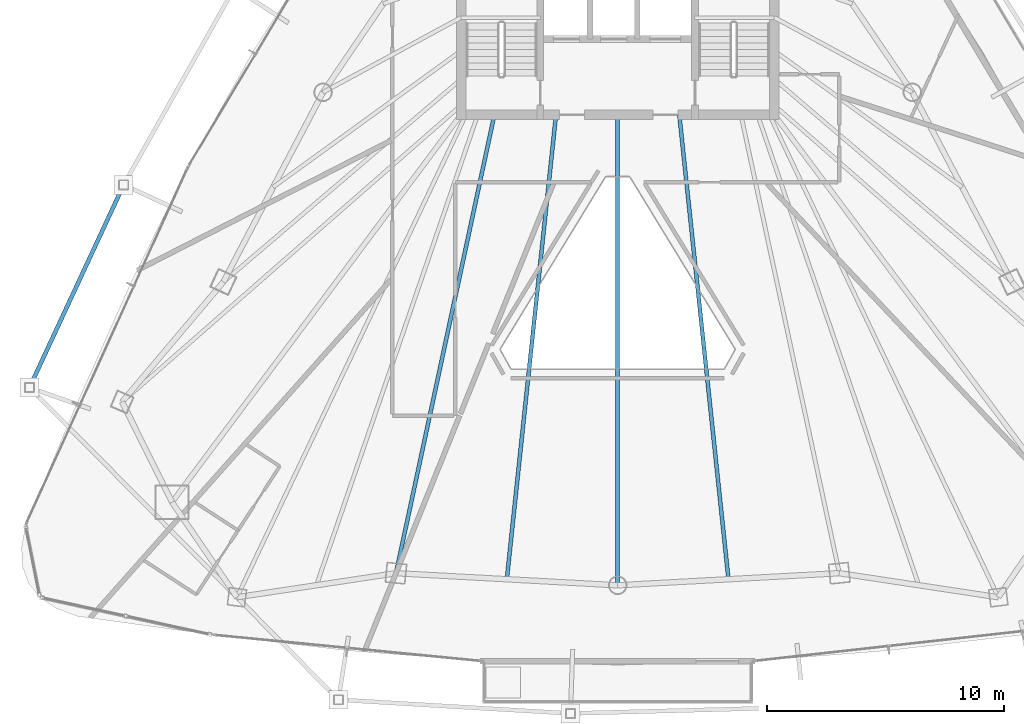
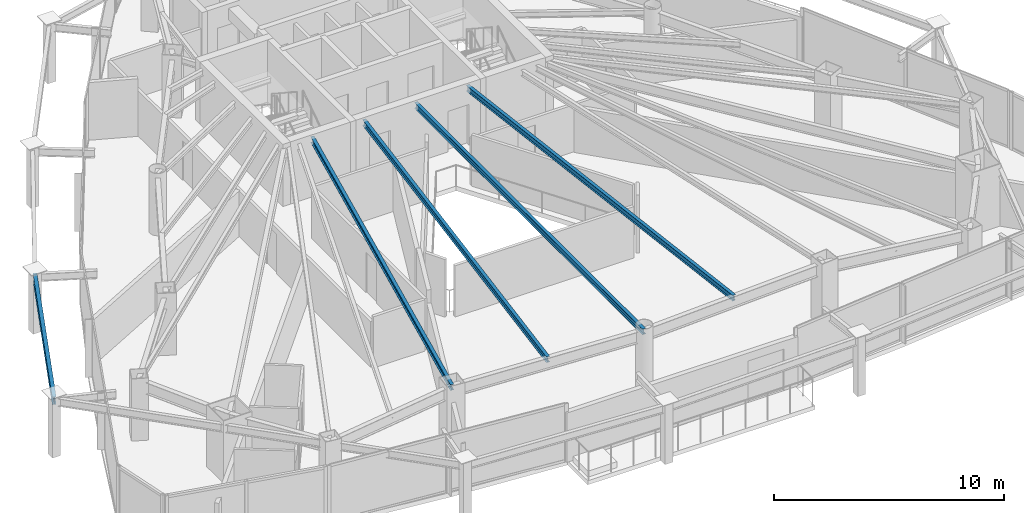
# One storey, part 9 of 31: 5 beams.
"""IFC4 building model written with IfcOpenShell, lengths in metres."""

from ifc_helpers import new_model, si_unit, direction, frame, origin, origin_2d, place, context, subcontext, project, spatial, i_section, extrude, material, material_profile, profile_set, type_object, element, save


model = new_model("IFC4")

# Units and contexts
model_context = context("Model", 3, precision=1e-05, world=origin(), true_north=direction((0.0, 1.0)))
body_context = subcontext(model_context, "Body", "Model", "MODEL_VIEW")
ifc_project = project(units=[si_unit("LENGTHUNIT", "METRE"), si_unit("AREAUNIT", "SQUARE_METRE"), si_unit("VOLUMEUNIT", "CUBIC_METRE"), si_unit("PLANEANGLEUNIT", "RADIAN"), si_unit("MASSUNIT", "GRAM", prefix="KILO")], contexts=[model_context])

# Site, building, storey
site_placement = place(None, origin())
site = spatial("IfcSite", under=ifc_project, at=site_placement, CompositionType="ELEMENT")
building_placement = place(site_placement, origin())
building = spatial("IfcBuilding", under=site, at=building_placement, Name="Orvanel Arch Residences", CompositionType="ELEMENT")
storey_placement = place(building_placement, frame((0.0, 0.0, 157.25)))
storey = spatial("IfcBuildingStorey", under=building, at=storey_placement, Name="L44", CompositionType="ELEMENT", Elevation=157.25)

# Beams
ifc_material = material(Name="Structural steel AS/NZS 3679.1 Grade 300 (300 MPa)", Category="steel")
ifc_material_profile_1 = material_profile(ifc_material, i_section(OverallWidth=0.1650390625, OverallDepth=0.303955078125, WebThickness=0.006103515625, FlangeThickness=0.01025390625, at=origin_2d()), Name="310UB40.4")
ifc_profile_set_1 = profile_set([ifc_material_profile_1], Name="Structural steel AS/NZS 3679.1 Grade 300 (300 MPa)")
beam_type_1 = type_object("IfcBeamType", Name="BJ-310UB", PredefinedType="JOIST", material=ifc_profile_set_1)
beam_1_placement = place(storey_placement, frame((27.800048828125, 26.699951171875, 2.907958984375), z_axis=(-0.209808012425, -0.977742603103, 0.0), x_axis=(0.977742603103, -0.209808012425, 0.0)))
element("IfcBeam", 1, at=beam_1_placement, inside=storey, type_object=beam_type_1, Name="L44 SW Wing Floor Joist", PredefinedType="JOIST", context=body_context, shape_type="SweptSolid", body=[
    extrude(i_section(OverallWidth=0.1650390625, OverallDepth=0.303955078125, WebThickness=0.006103515625, FlangeThickness=0.01025390625, at=origin_2d()), origin(), (0.0, 0.0, 1.0), 19.785400390625),
])
beam_2_placement = place(storey_placement, frame((33.0, 26.699951171875, 2.907958984375), z_axis=(0.0, -1.0, 0.0), x_axis=(1.0, 0.0, 0.0)))
element("IfcBeam", 2, at=beam_2_placement, inside=storey, type_object=beam_type_1, Name="L44 SSW Wing Floor Joist", PredefinedType="JOIST", context=body_context, shape_type="SweptSolid", body=[
    extrude(i_section(OverallWidth=0.1650390625, OverallDepth=0.303955078125, WebThickness=0.006103515625, FlangeThickness=0.01025390625, at=origin_2d()), origin(), (0.0, 0.0, 1.0), 19.85595703125),
])
for number, where, z_axis, x_axis, name in (
    (3, (30.39990234375, 26.699951171875, 2.907958984375), (-0.105277340935, -0.994442900063, 0.0), (0.994442900063, -0.105277340935, 0.0), "L44 WSW2 Wing Floor Joist"),
    (4, (35.60009765625, 26.699951171875, 2.907958984375), (0.105277340935, -0.994442900063, 0.0), (0.994442900063, 0.105277340935, 0.0), "L44 ESE2 Wing Floor Joist"),
):
    element("IfcBeam", number, at=place(storey_placement, frame(where, z_axis=z_axis, x_axis=x_axis)), inside=storey, type_object=beam_type_1, Name=name, PredefinedType="JOIST", context=body_context, shape_type="SweptSolid", body=[
        extrude(i_section(OverallWidth=0.1650390625, OverallDepth=0.303955078125, WebThickness=0.006103515625, FlangeThickness=0.01025390625, at=origin_2d()), origin(), (0.0, 0.0, 1.0), 19.70947265625),
    ])
ifc_material_profile_2 = material_profile(ifc_material, i_section(OverallWidth=0.177978515625, OverallDepth=0.406005859375, WebThickness=0.0078125, FlangeThickness=0.0126953125, at=origin_2d()), Name="410UB59.7")
ifc_profile_set_2 = profile_set([ifc_material_profile_2], Name="Structural steel AS/NZS 3679.1 Grade 300 (300 MPa)")
beam_type_2 = type_object("IfcBeamType", Name="OB-410UB-EXT", PredefinedType="SPANDREL", material=ifc_profile_set_2)
beam_3_placement = place(storey_placement, frame((12.159912109375, 23.738037109375, 2.85693359375), z_axis=(-0.421274831132, -0.906933027657, 0.0), x_axis=(0.906933027657, -0.421274831132, 0.0)))
element("IfcBeam", 5, at=beam_3_placement, inside=storey, type_object=beam_type_2, Name="L44 Outer Perimeter Floor Ring Beam 03", PredefinedType="SPANDREL", context=body_context, shape_type="SweptSolid", body=[
    extrude(i_section(OverallWidth=0.177978515625, OverallDepth=0.406005859375, WebThickness=0.0078125, FlangeThickness=0.0126953125, at=origin_2d()), origin(), (0.0, 0.0, 1.0), 9.4306640625),
])

save(model, "model.ifc")
